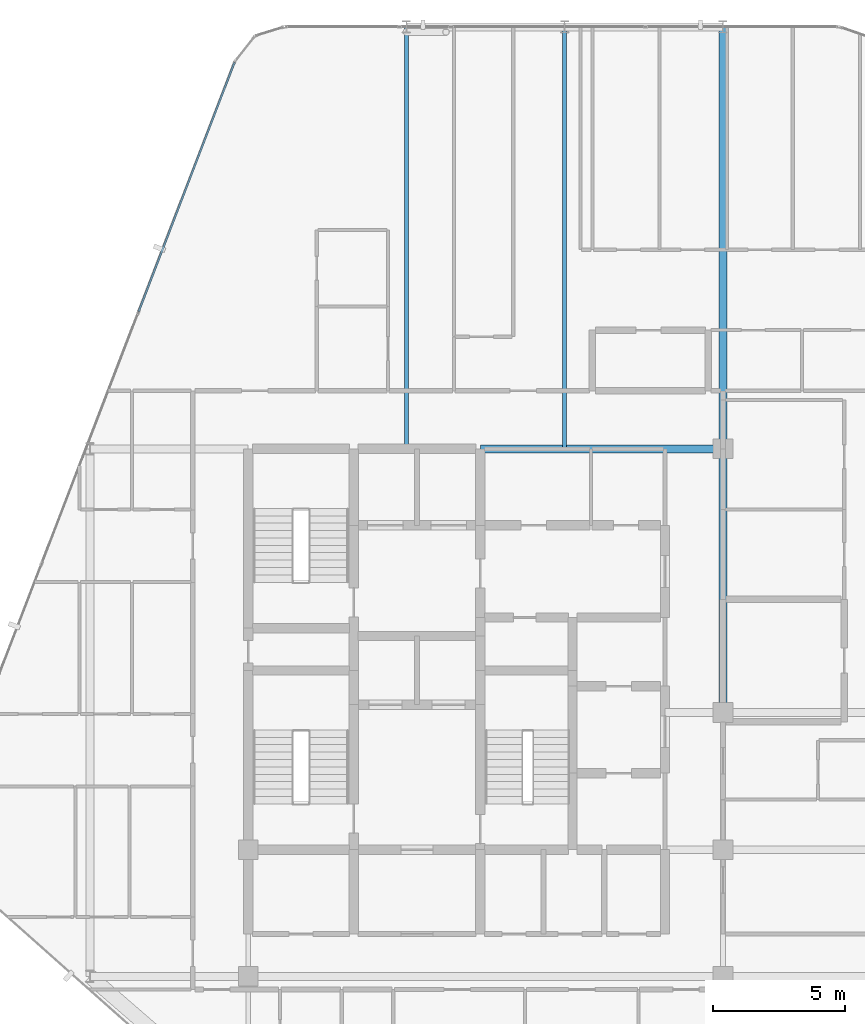
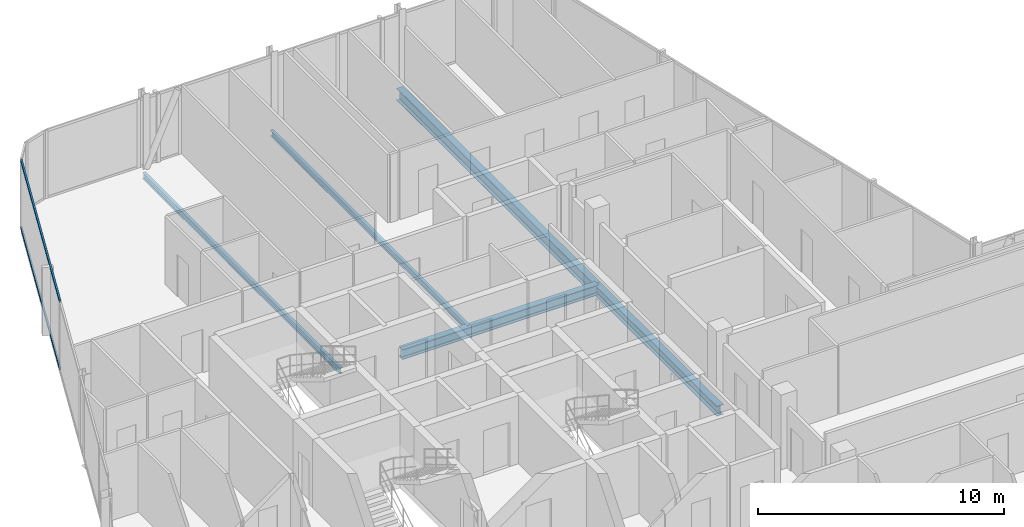
# One storey, part 17 of 29: 5 beams, 2 members, 1 element without a shape of its own.
"""IFC4 building model written with IfcOpenShell, lengths in metres."""

from ifc_helpers import new_model, si_unit, direction, frame, origin, origin_2d, place, context, subcontext, project, spatial, hollow_rectangle, i_section, extrude, material, layer, layer_set, material_profile, profile_set, type_object, element, aggregate, save


model = new_model("IFC4")

# Units and contexts
model_context = context("Model", 3, precision=1e-05, world=origin(), true_north=direction((0.0, 1.0)))
body_context = subcontext(model_context, "Body", "Model", "MODEL_VIEW")
ifc_project = project(units=[si_unit("LENGTHUNIT", "METRE"), si_unit("AREAUNIT", "SQUARE_METRE"), si_unit("VOLUMEUNIT", "CUBIC_METRE"), si_unit("PLANEANGLEUNIT", "RADIAN"), si_unit("MASSUNIT", "GRAM", prefix="KILO")], contexts=[model_context])

# Site, building, storey
site_placement = place(None, origin())
site = spatial("IfcSite", under=ifc_project, at=site_placement, CompositionType="ELEMENT")
building_placement = place(site_placement, origin())
building = spatial("IfcBuilding", under=site, at=building_placement, Name="Keshet Zoharim Tower", CompositionType="ELEMENT")
storey_placement = place(building_placement, frame((0.0, 0.0, 226.5)))
storey = spatial("IfcBuildingStorey", under=building, at=storey_placement, Name="L56", CompositionType="ELEMENT", Elevation=226.5)

# Beams
ifc_material_1 = material(Name="Steel S355", Category="steel")
ifc_material_profile_1 = material_profile(ifc_material_1, i_section(OverallWidth=0.14990234375, OverallDepth=0.300048828125, WebThickness=0.007080078125, FlangeThickness=0.0107421875, FilletRadius=0.014892578125, at=origin_2d()), Name="IPE300")
ifc_profile_set_1 = profile_set([ifc_material_profile_1], Name="Steel S355")
beam_type_1 = type_object("IfcBeamType", Name="BM-JST-IP300", PredefinedType="JOIST", material=ifc_profile_set_1)
for number, where, z_axis, x_axis, name in (
    (1, (21.0, 37.89990234375, -0.4599609375), (0.0, 1.0, 0.0), (-1.0, 0.0, 0.0), "L56 Secondary Floor Joist J-001"),
    (2, (27.0, 37.89990234375, -0.4599609375), (0.0, 1.0, 0.0), (-1.0, 0.0, 0.0), "L56 Secondary Floor Joist J-002"),
):
    element("IfcBeam", number, at=place(storey_placement, frame(where, z_axis=z_axis, x_axis=x_axis)), inside=storey, type_object=beam_type_1, Name=name, PredefinedType="JOIST", context=body_context, shape_type="SweptSolid", body=[
        extrude(i_section(OverallWidth=0.14990234375, OverallDepth=0.300048828125, WebThickness=0.007080078125, FlangeThickness=0.0107421875, FilletRadius=0.014892578125, at=origin_2d()), origin(), (0.0, 0.0, 1.0), 16.0),
    ])
ifc_material_profile_2 = material_profile(ifc_material_1, i_section(OverallWidth=0.300048828125, OverallDepth=0.60009765625, WebThickness=0.015380859375, FlangeThickness=0.030029296875, FilletRadius=0.027099609375, at=origin_2d()), Name="HEB600")
ifc_profile_set_2 = profile_set([ifc_material_profile_2], Name="Steel S355")
beam_type_2 = type_object("IfcBeamType", Name="BM-LNG-HB600", PredefinedType="BEAM", material=ifc_profile_set_2)
beam_1_placement = place(storey_placement, frame((33.0, 37.89990234375, -0.610107421875), z_axis=(0.0, 1.0, 0.0), x_axis=(-1.0, 0.0, 0.0)))
element("IfcBeam", 3, at=beam_1_placement, inside=storey, type_object=beam_type_2, Name="L56 Primary Girder Y-011", PredefinedType="BEAM", context=body_context, shape_type="SweptSolid", body=[
    extrude(i_section(OverallWidth=0.300048828125, OverallDepth=0.60009765625, WebThickness=0.015380859375, FlangeThickness=0.030029296875, FilletRadius=0.027099609375, at=origin_2d()), origin(), (0.0, 0.0, 1.0), 16.0),
])
ifc_material_profile_3 = material_profile(ifc_material_1, i_section(OverallWidth=0.300048828125, OverallDepth=0.5, WebThickness=0.014404296875, FlangeThickness=0.028076171875, FilletRadius=0.027099609375, at=origin_2d()), Name="HEB500")
ifc_profile_set_3 = profile_set([ifc_material_profile_3], Name="Steel S355")
beam_type_3 = type_object("IfcBeamType", Name="BM-MED-HB500", PredefinedType="BEAM", material=ifc_profile_set_3)
beam_2_placement = place(storey_placement, frame((23.800048828125, 37.89990234375, -0.56005859375), z_axis=(1.0, 0.0, 0.0), x_axis=(0.0, 1.0, 0.0)))
element("IfcBeam", 4, at=beam_2_placement, inside=storey, type_object=beam_type_3, Name="L56 Primary Girder X-018", PredefinedType="BEAM", context=body_context, shape_type="SweptSolid", body=[
    extrude(i_section(OverallWidth=0.300048828125, OverallDepth=0.5, WebThickness=0.014404296875, FlangeThickness=0.028076171875, FilletRadius=0.027099609375, at=origin_2d()), origin(), (0.0, 0.0, 1.0), 9.199951171875),
])
beam_3_placement = place(storey_placement, frame((33.0, 27.89990234375, -0.56005859375), z_axis=(0.0, 1.0, 0.0), x_axis=(-1.0, 0.0, 0.0)))
element("IfcBeam", 5, at=beam_3_placement, inside=storey, type_object=beam_type_3, Name="L56 Primary Girder Y-010", PredefinedType="BEAM", context=body_context, shape_type="SweptSolid", body=[
    extrude(i_section(OverallWidth=0.300048828125, OverallDepth=0.5, WebThickness=0.014404296875, FlangeThickness=0.028076171875, FilletRadius=0.027099609375, at=origin_2d()), origin(), (0.0, 0.0, 1.0), 10.0),
])

# Curtain wall, members
ifc_material_2 = material(Name="Aluminium 6063-T6", Category="aluminium")
ifc_layer = layer(ifc_material_2, 0.139892578125)
ifc_layer_set = layer_set([ifc_layer], Name="Aluminium 6063-T6")
curtain_wall_type = type_object("IfcCurtainWallType", Name="CW-SYS-05", PredefinedType="NOTDEFINED", material=ifc_layer_set)
curtain_wall_placement = place(storey_placement, origin())
curtain_wall = element("IfcCurtainWall", 6, at=curtain_wall_placement, inside=storey, type_object=curtain_wall_type, Name="L56 Unitised Curtain Wall 13", PredefinedType="NOTDEFINED")
ifc_material_profile_4 = material_profile(ifc_material_2, hollow_rectangle(XDim=0.074951171875, YDim=0.1201171875, WallThickness=0.00390625, at=origin_2d()), Name="TRN-75x120")
ifc_profile_set_4 = profile_set([ifc_material_profile_4], Name="Aluminium 6063-T6")
member_type = type_object("IfcMemberType", Name="CWT-T12", PredefinedType="USERDEFINED", material=ifc_profile_set_4)
member_1_placement = place(storey_placement, frame((10.849609375, 43.10888671875, 0.034912109375), z_axis=(0.358985546764, 0.933343118694, 0.0), x_axis=(-0.933343118694, 0.358985546764, 0.0)))
member_1 = element("IfcMember", 7, at=member_1_placement, type_object=member_type, Name="CW-05 transom 3.1", ObjectType="TRANSOM", PredefinedType="USERDEFINED", context=body_context, shape_type="SweptSolid", body=[
    extrude(hollow_rectangle(XDim=0.074951171875, YDim=0.1201171875, WallThickness=0.00390625, at=origin_2d()), origin(), (0.0, 0.0, 1.0), 10.118408203125),
])
member_2_placement = place(storey_placement, frame((10.849609375, 43.10888671875, 3.35498046875), z_axis=(0.358985546764, 0.933343118694, 0.0), x_axis=(-0.933343118694, 0.358985546764, 0.0)))
member_2 = element("IfcMember", 8, at=member_2_placement, type_object=member_type, Name="CW-05 transom 3.2", ObjectType="TRANSOM", PredefinedType="USERDEFINED", context=body_context, shape_type="SweptSolid", body=[
    extrude(hollow_rectangle(XDim=0.074951171875, YDim=0.1201171875, WallThickness=0.00390625, at=origin_2d()), origin(), (0.0, 0.0, 1.0), 10.118408203125),
])
aggregate(curtain_wall, [member_1, member_2])

save(model, "model.ifc")
